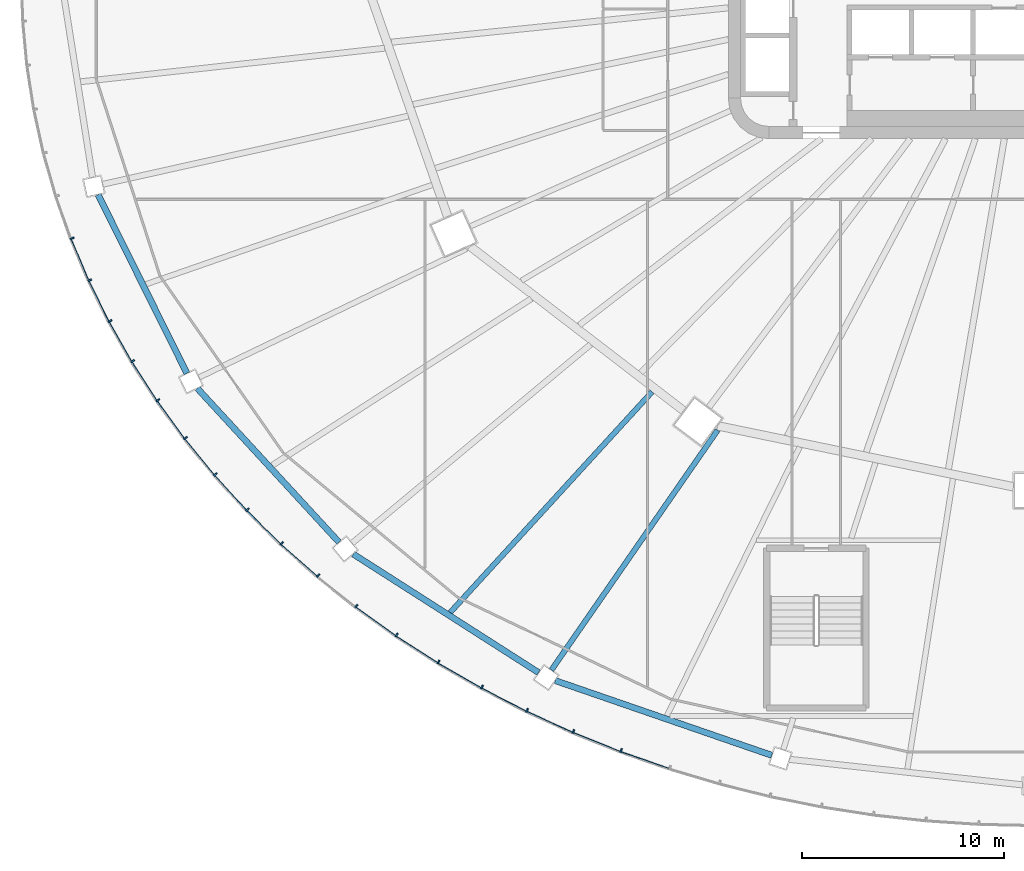
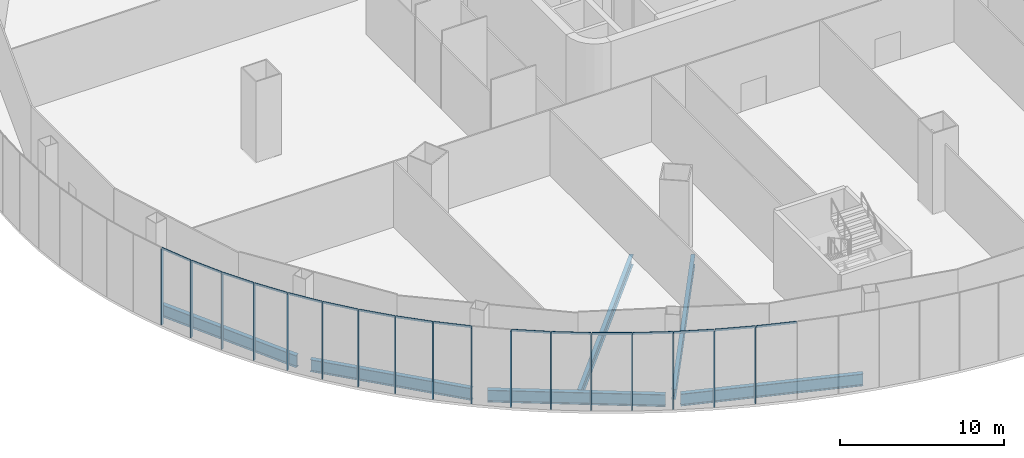
# One storey, part 2 of 37: 33 members, 6 beams, 4 elements without a shape of their own.
"""IFC4 building model written with IfcOpenShell, lengths in metres."""

from ifc_helpers import new_model, si_unit, direction, frame, origin, origin_2d, place, context, subcontext, project, spatial, rectangle, i_section, extrude, material, layer, layer_set, material_profile, profile_set, type_object, element, aggregate, save


model = new_model("IFC4")

# Units and contexts
model_context = context("Model", 3, precision=1e-05, world=origin(), true_north=direction((0.0, 1.0)))
body_context = subcontext(model_context, "Body", "Model", "MODEL_VIEW")
ifc_project = project(units=[si_unit("LENGTHUNIT", "METRE"), si_unit("AREAUNIT", "SQUARE_METRE"), si_unit("VOLUMEUNIT", "CUBIC_METRE"), si_unit("PLANEANGLEUNIT", "RADIAN"), si_unit("MASSUNIT", "GRAM", prefix="KILO")], contexts=[model_context])

# Site, building, storey
site_placement = place(None, origin())
site = spatial("IfcSite", under=ifc_project, at=site_placement, CompositionType="ELEMENT")
building_placement = place(site_placement, origin())
building = spatial("IfcBuilding", under=site, at=building_placement, Name="Sahrelin Media Tower", CompositionType="ELEMENT")
storey_placement = place(building_placement, frame((0.0, 0.0, 31.39990234375)))
storey = spatial("IfcBuildingStorey", under=building, at=storey_placement, Name="L04", CompositionType="ELEMENT", Elevation=31.39990234375)

# Curtain wall, members
ifc_material_1 = material(Name="Champagne anodised aluminium 6063-T6", Category="aluminium")
ifc_layer = layer(ifc_material_1, 0.14990234375)
ifc_layer_set = layer_set([ifc_layer], Name="Podium ribbon curtain wall")
curtain_wall_type = type_object("IfcCurtainWallType", Name="Podium ribbon curtain wall", PredefinedType="NOTDEFINED", material=ifc_layer_set)
curtain_wall_1_placement = place(storey_placement, frame((-48.29638671875, -10.870361328125, 0.0), z_axis=(0.0, 0.0, 1.0), x_axis=(1.0, 0.0, 0.0)))
curtain_wall_1 = element("IfcCurtainWall", 1, at=curtain_wall_1_placement, inside=storey, type_object=curtain_wall_type, Name="L04:CW:L04-P13", PredefinedType="NOTDEFINED")
ifc_material_profile_1 = material_profile(ifc_material_1, rectangle(XDim=0.080078125, YDim=0.199951171875, at=origin_2d()), Name="Mullion 80x200")
ifc_profile_set_1 = profile_set([ifc_material_profile_1], Name="Champagne anodised aluminium 6063-T6")
member_type_1 = type_object("IfcMemberType", Name="Mullion 80x200 CW5", PredefinedType="MULLION", material=ifc_profile_set_1)
member_1_placement = place(storey_placement, frame((-47.442138671875, -12.93212890625, 0.0), z_axis=(0.0, 0.0, 1.0), x_axis=(0.388450189752, -0.921469722824, 0.0)))
member_1 = element("IfcMember", 2, at=member_1_placement, type_object=member_type_1, Name="L04:CWM2:L04-P13", PredefinedType="MULLION", context=body_context, shape_type="SweptSolid", body=[
    extrude(rectangle(XDim=0.080078125, YDim=0.199951171875, at=origin_2d()), origin(), (0.0, 0.0, 1.0), 5.650146484375),
])
member_2_placement = place(storey_placement, frame((-46.5712890625, -14.998291015625, 0.0), z_axis=(0.0, 0.0, 1.0), x_axis=(0.442262079274, -0.896885864108, 0.0)))
member_2 = element("IfcMember", 3, at=member_2_placement, type_object=member_type_1, Name="L04:CWM3:L04-P13", PredefinedType="MULLION", context=body_context, shape_type="SweptSolid", body=[
    extrude(rectangle(XDim=0.080078125, YDim=0.199951171875, at=origin_2d()), origin(), (0.0, 0.0, 1.0), 5.650146484375),
])
member_3_placement = place(storey_placement, frame((-45.572998046875, -17.023681640625, 0.0), z_axis=(0.0, 0.0, 1.0), x_axis=(0.493787068155, -0.869582849028, 0.0)))
member_3 = element("IfcMember", 4, at=member_3_placement, type_object=member_type_1, Name="L04:CWM4:L04-P13", PredefinedType="MULLION", context=body_context, shape_type="SweptSolid", body=[
    extrude(rectangle(XDim=0.080078125, YDim=0.199951171875, at=origin_2d()), origin(), (0.0, 0.0, 1.0), 5.650146484375),
])
member_4_placement = place(storey_placement, frame((-44.449462890625, -19.00244140625, 0.0), z_axis=(0.0, 0.0, 1.0), x_axis=(0.542830032192, -0.839842578196, 0.0)))
member_4 = element("IfcMember", 5, at=member_4_placement, type_object=member_type_1, Name="L04:CWM5:L04-P13", PredefinedType="MULLION", context=body_context, shape_type="SweptSolid", body=[
    extrude(rectangle(XDim=0.080078125, YDim=0.199951171875, at=origin_2d()), origin(), (0.0, 0.0, 1.0), 5.650146484375),
])

curtain_wall_2_placement = place(storey_placement, frame((-43.30126953125, -21.0, 0.0), z_axis=(0.0, 0.0, 1.0), x_axis=(1.0, 0.0, 0.0)))
curtain_wall_2 = element("IfcCurtainWall", 6, at=curtain_wall_2_placement, inside=storey, type_object=curtain_wall_type, Name="L04:CW:L04-P14", PredefinedType="NOTDEFINED")
member_5_placement = place(storey_placement, frame((-43.204345703125, -20.92919921875, 0.0), z_axis=(0.0, 0.0, 1.0), x_axis=(0.589385309161, -0.807852064022, 0.0)))
member_5 = element("IfcMember", 7, at=member_5_placement, type_object=member_type_1, Name="L04:CWM1:L04-P14", PredefinedType="MULLION", context=body_context, shape_type="SweptSolid", body=[
    extrude(rectangle(XDim=0.080078125, YDim=0.199951171875, at=origin_2d()), origin(), (0.0, 0.0, 1.0), 5.650146484375),
])
member_6_placement = place(storey_placement, frame((-41.840576171875, -22.798828125, 0.0), z_axis=(0.0, 0.0, 1.0), x_axis=(0.633234995933, -0.77395958546, 0.0)))
member_6 = element("IfcMember", 8, at=member_6_placement, type_object=member_type_1, Name="L04:CWM2:L04-P14", PredefinedType="MULLION", context=body_context, shape_type="SweptSolid", body=[
    extrude(rectangle(XDim=0.080078125, YDim=0.199951171875, at=origin_2d()), origin(), (0.0, 0.0, 1.0), 5.650146484375),
])
member_7_placement = place(storey_placement, frame((-40.3623046875, -24.606201171875, 0.0), z_axis=(0.0, 0.0, 1.0), x_axis=(0.67442997344, -0.738338818514, 0.0)))
member_7 = element("IfcMember", 9, at=member_7_placement, type_object=member_type_1, Name="L04:CWM3:L04-P14", PredefinedType="MULLION", context=body_context, shape_type="SweptSolid", body=[
    extrude(rectangle(XDim=0.080078125, YDim=0.199951171875, at=origin_2d()), origin(), (0.0, 0.0, 1.0), 5.650146484375),
])
member_8_placement = place(storey_placement, frame((-38.773193359375, -26.345947265625, 0.0), z_axis=(0.0, 0.0, 1.0), x_axis=(0.712973923933, -0.70119054742, 0.0)))
member_8 = element("IfcMember", 10, at=member_8_placement, type_object=member_type_1, Name="L04:CWM4:L04-P14", PredefinedType="MULLION", context=body_context, shape_type="SweptSolid", body=[
    extrude(rectangle(XDim=0.080078125, YDim=0.199951171875, at=origin_2d()), origin(), (0.0, 0.0, 1.0), 5.650146484375),
])
member_9_placement = place(storey_placement, frame((-37.07763671875, -28.013671875, 0.0), z_axis=(0.0, 0.0, 1.0), x_axis=(0.748788005735, -0.662809567272, 0.0)))
member_9 = element("IfcMember", 11, at=member_9_placement, type_object=member_type_1, Name="L04:CWM5:L04-P14", PredefinedType="MULLION", context=body_context, shape_type="SweptSolid", body=[
    extrude(rectangle(XDim=0.080078125, YDim=0.199951171875, at=origin_2d()), origin(), (0.0, 0.0, 1.0), 5.650146484375),
])

curtain_wall_3_placement = place(storey_placement, frame((-35.355224609375, -29.698486328125, 0.0), z_axis=(0.0, 0.0, 1.0), x_axis=(1.0, 0.0, 0.0)))
curtain_wall_3 = element("IfcCurtainWall", 12, at=curtain_wall_3_placement, inside=storey, type_object=curtain_wall_type, Name="L04:CW:L04-P15", PredefinedType="NOTDEFINED")
member_10_placement = place(storey_placement, frame((-35.280517578125, -29.604736328125, 0.0), z_axis=(0.0, 0.0, 1.0), x_axis=(0.781960183728, -0.623328381405, 0.0)))
member_10 = element("IfcMember", 13, at=member_10_placement, type_object=member_type_1, Name="L04:CWM1:L04-P15", PredefinedType="MULLION", context=body_context, shape_type="SweptSolid", body=[
    extrude(rectangle(XDim=0.080078125, YDim=0.199951171875, at=origin_2d()), origin(), (0.0, 0.0, 1.0), 5.650146484375),
])
member_11_placement = place(storey_placement, frame((-33.38671875, -31.114501953125, 0.0), z_axis=(0.0, 0.0, 1.0), x_axis=(0.812532432251, -0.582915985834, 0.0)))
member_11 = element("IfcMember", 14, at=member_11_placement, type_object=member_type_1, Name="L04:CWM2:L04-P15", PredefinedType="MULLION", context=body_context, shape_type="SweptSolid", body=[
    extrude(rectangle(XDim=0.080078125, YDim=0.199951171875, at=origin_2d()), origin(), (0.0, 0.0, 1.0), 5.650146484375),
])
member_12_placement = place(storey_placement, frame((-31.40087890625, -32.539306640625, 0.0), z_axis=(0.0, 0.0, 1.0), x_axis=(0.840519327336, -0.541781561494, 0.0)))
member_12 = element("IfcMember", 15, at=member_12_placement, type_object=member_type_1, Name="L04:CWM3:L04-P15", PredefinedType="MULLION", context=body_context, shape_type="SweptSolid", body=[
    extrude(rectangle(XDim=0.080078125, YDim=0.199951171875, at=origin_2d()), origin(), (0.0, 0.0, 1.0), 5.650146484375),
])
member_13_placement = place(storey_placement, frame((-29.329345703125, -33.874755859375, 0.0), z_axis=(0.0, 0.0, 1.0), x_axis=(0.866028894422, -0.49999395399, 0.0)))
member_13 = element("IfcMember", 16, at=member_13_placement, type_object=member_type_1, Name="L04:CWM4:L04-P15", PredefinedType="MULLION", context=body_context, shape_type="SweptSolid", body=[
    extrude(rectangle(XDim=0.080078125, YDim=0.199951171875, at=origin_2d()), origin(), (0.0, 0.0, 1.0), 5.650146484375),
])
member_14_placement = place(storey_placement, frame((-27.177001953125, -35.117431640625, 0.0), z_axis=(0.0, 0.0, 1.0), x_axis=(0.889123403251, -0.457667536309, 0.0)))
member_14 = element("IfcMember", 17, at=member_14_placement, type_object=member_type_1, Name="L04:CWM5:L04-P15", PredefinedType="MULLION", context=body_context, shape_type="SweptSolid", body=[
    extrude(rectangle(XDim=0.080078125, YDim=0.199951171875, at=origin_2d()), origin(), (0.0, 0.0, 1.0), 5.650146484375),
])

curtain_wall_4_placement = place(storey_placement, frame((-25.0, -36.373046875, 0.0), z_axis=(0.0, 0.0, 1.0), x_axis=(1.0, 0.0, 0.0)))
curtain_wall_4 = element("IfcCurtainWall", 18, at=curtain_wall_4_placement, inside=storey, type_object=curtain_wall_type, Name="L04:CW:L04-P16", PredefinedType="NOTDEFINED")
member_15_placement = place(storey_placement, frame((-24.9501953125, -36.263916015625, 0.0), z_axis=(0.0, 0.0, 1.0), x_axis=(0.909841810065, -0.414955275491, 0.0)))
member_15 = element("IfcMember", 19, at=member_15_placement, type_object=member_type_1, Name="L04:CWM1:L04-P16", PredefinedType="MULLION", context=body_context, shape_type="SweptSolid", body=[
    extrude(rectangle(XDim=0.080078125, YDim=0.199951171875, at=origin_2d()), origin(), (0.0, 0.0, 1.0), 5.650146484375),
])
member_16_placement = place(storey_placement, frame((-22.65478515625, -37.310791015625, 0.0), z_axis=(0.0, 0.0, 1.0), x_axis=(0.928270482181, -0.371905783648, 0.0)))
member_16 = element("IfcMember", 20, at=member_16_placement, type_object=member_type_1, Name="L04:CWM2:L04-P16", PredefinedType="MULLION", context=body_context, shape_type="SweptSolid", body=[
    extrude(rectangle(XDim=0.080078125, YDim=0.199951171875, at=origin_2d()), origin(), (0.0, 0.0, 1.0), 5.650146484375),
])
member_17_placement = place(storey_placement, frame((-20.29736328125, -38.255615234375, 0.0), z_axis=(0.0, 0.0, 1.0), x_axis=(0.944458420046, -0.328630937077, 0.0)))
member_17 = element("IfcMember", 21, at=member_17_placement, type_object=member_type_1, Name="L04:CWM3:L04-P16", PredefinedType="MULLION", context=body_context, shape_type="SweptSolid", body=[
    extrude(rectangle(XDim=0.080078125, YDim=0.199951171875, at=origin_2d()), origin(), (0.0, 0.0, 1.0), 5.650146484375),
])

# Beams
ifc_material_2 = material(Name="Steel S355", Category="steel")
ifc_material_profile_2 = material_profile(ifc_material_2, i_section(OverallWidth=0.30322265625, OverallDepth=0.903076171875, WebThickness=0.01513671875, FlangeThickness=0.020263671875, FilletRadius=0.01904296875, at=origin_2d()), Name="UB 914x305x201")
ifc_profile_set_2 = profile_set([ifc_material_profile_2], Name="Steel S355")
beam_type_1 = type_object("IfcBeamType", Name="Podium edge girder PE11", PredefinedType="BEAM", material=ifc_profile_set_2)
beam_1_placement = place(storey_placement, frame((-46.158203125, -10.767822265625, -0.6513671875), z_axis=(0.445112588569, -0.895474613541, 0.0), x_axis=(0.895474613541, 0.445112588569, 0.0)))
element("IfcBeam", 22, at=beam_1_placement, inside=storey, type_object=beam_type_1, Name="Podium edge girder L04-14", PredefinedType="BEAM", context=body_context, shape_type="SweptSolid", body=[
    extrude(i_section(OverallWidth=0.30322265625, OverallDepth=0.903076171875, WebThickness=0.01513671875, FlangeThickness=0.020263671875, FilletRadius=0.01904296875, at=origin_2d()), origin(), (0.0, 0.0, 1.0), 9.859619140625),
])
beam_2_placement = place(storey_placement, frame((-41.25048828125, -20.34619140625, -0.6513671875), z_axis=(0.677370529771, -0.735642008995, 0.0), x_axis=(0.735642008995, 0.677370529771, 0.0)))
element("IfcBeam", 23, at=beam_2_placement, inside=storey, type_object=beam_type_1, Name="Podium edge girder L04-15", PredefinedType="BEAM", context=body_context, shape_type="SweptSolid", body=[
    extrude(i_section(OverallWidth=0.30322265625, OverallDepth=0.903076171875, WebThickness=0.01513671875, FlangeThickness=0.020263671875, FilletRadius=0.01904296875, at=origin_2d()), origin(), (0.0, 0.0, 1.0), 10.340087890625),
])
beam_3_placement = place(storey_placement, frame((-33.54345703125, -28.53857421875, -0.6513671875), z_axis=(0.842485743715, -0.538718638657, 0.0), x_axis=(0.538718638657, 0.842485743715, 0.0)))
element("IfcBeam", 24, at=beam_3_placement, inside=storey, type_object=beam_type_1, Name="Podium edge girder L04-16", PredefinedType="BEAM", context=body_context, shape_type="SweptSolid", body=[
    extrude(i_section(OverallWidth=0.30322265625, OverallDepth=0.903076171875, WebThickness=0.01513671875, FlangeThickness=0.020263671875, FilletRadius=0.01904296875, at=origin_2d()), origin(), (0.0, 0.0, 1.0), 10.87744140625),
])
beam_4_placement = place(storey_placement, frame((-23.55810546875, -34.79345703125, -0.6513671875), z_axis=(0.94527240249, -0.32628221694, 0.0), x_axis=(0.32628221694, 0.94527240249, 0.0)))
element("IfcBeam", 25, at=beam_4_placement, inside=storey, type_object=beam_type_1, Name="Podium edge girder L04-17", PredefinedType="BEAM", context=body_context, shape_type="SweptSolid", body=[
    extrude(i_section(OverallWidth=0.30322265625, OverallDepth=0.903076171875, WebThickness=0.01513671875, FlangeThickness=0.020263671875, FilletRadius=0.01904296875, at=origin_2d()), origin(), (0.0, 0.0, 1.0), 11.329345703125),
])
ifc_material_profile_3 = material_profile(ifc_material_2, i_section(OverallWidth=0.26513671875, OverallDepth=0.75390625, WebThickness=0.0126953125, FlangeThickness=0.017578125, FilletRadius=0.0166015625, at=origin_2d()), Name="UB 762x267x147")
ifc_profile_set_3 = profile_set([ifc_material_profile_3], Name="Steel S355")
beam_type_2 = type_object("IfcBeamType", Name="Radial primary beam PB9", PredefinedType="BEAM", material=ifc_profile_set_3)
beam_5_placement = place(storey_placement, frame((-15.527099609375, -22.411376953125, -0.576904296875), z_axis=(-0.569493278726, -0.821995988729, 0.0), x_axis=(0.821995988729, -0.569493278726, 0.0)))
element("IfcBeam", 26, at=beam_5_placement, inside=storey, type_object=beam_type_2, Name="Radial beam L04-19", PredefinedType="BEAM", context=body_context, shape_type="SweptSolid", body=[
    extrude(i_section(OverallWidth=0.26513671875, OverallDepth=0.75390625, WebThickness=0.0126953125, FlangeThickness=0.017578125, FilletRadius=0.0166015625, at=origin_2d()), origin(), (0.0, 0.0, 1.0), 14.427734375),
])
ifc_material_profile_4 = material_profile(ifc_material_2, i_section(OverallWidth=0.26513671875, OverallDepth=0.75390625, WebThickness=0.0126953125, FlangeThickness=0.017578125, FilletRadius=0.0166015625, at=origin_2d()), Name="UB 762x267x147")
ifc_profile_set_4 = profile_set([ifc_material_profile_4], Name="Steel S355")
beam_type_3 = type_object("IfcBeamType", Name="Radial secondary beam SB9", PredefinedType="BEAM", material=ifc_profile_set_4)
beam_6_placement = place(storey_placement, frame((-18.7685546875, -20.514892578125, -0.576904296875), z_axis=(-0.675004282666, -0.737813810106, 0.0), x_axis=(0.737813810106, -0.675004282666, 0.0)))
element("IfcBeam", 27, at=beam_6_placement, inside=storey, type_object=beam_type_3, Name="Secondary beam L04-16", PredefinedType="BEAM", context=body_context, shape_type="SweptSolid", body=[
    extrude(i_section(OverallWidth=0.26513671875, OverallDepth=0.75390625, WebThickness=0.0126953125, FlangeThickness=0.017578125, FilletRadius=0.0166015625, at=origin_2d()), origin(), (0.0, 0.0, 1.0), 14.7861328125),
])

# Member
ifc_material_profile_5 = material_profile(ifc_material_1, rectangle(XDim=0.06005859375, YDim=0.14990234375, at=origin_2d()), Name="Transom 60x150")
ifc_profile_set_5 = profile_set([ifc_material_profile_5], Name="Champagne anodised aluminium 6063-T6")
member_type_2 = type_object("IfcMemberType", Name="Transom 60x150 CW5", PredefinedType="USERDEFINED", material=ifc_profile_set_5)
member_18_placement = place(storey_placement, frame((-47.4873046875, -13.00537109375, 5.72509765625), z_axis=(0.388513504785, -0.921443029492, 0.0), x_axis=(0.921443029492, 0.388513504785, 0.0)))
member_18 = element("IfcMember", 28, at=member_18_placement, type_object=member_type_2, Name="L04:CWT2a:L04-P13", ObjectType="TRANSOM", PredefinedType="USERDEFINED", context=body_context, shape_type="SweptSolid", body=[
    extrude(rectangle(XDim=0.06005859375, YDim=0.14990234375, at=origin_2d()), origin(), (0.0, 0.0, 1.0), 2.199462890625),
])

member_19_placement = place(storey_placement, frame((-46.612060546875, -15.07421875, 5.72509765625), z_axis=(0.442224467513, -0.896904409808, 0.0), x_axis=(0.896904409808, 0.442224467513, 0.0)))
member_19 = element("IfcMember", 29, at=member_19_placement, type_object=member_type_2, Name="L04:CWT3a:L04-P13", ObjectType="TRANSOM", PredefinedType="USERDEFINED", context=body_context, shape_type="SweptSolid", body=[
    extrude(rectangle(XDim=0.06005859375, YDim=0.14990234375, at=origin_2d()), origin(), (0.0, 0.0, 1.0), 2.21484375),
])

member_20_placement = place(storey_placement, frame((-45.609130859375, -17.101806640625, 5.72509765625), z_axis=(0.493793305481, -0.869579307172, 0.0), x_axis=(0.869579307172, 0.493793305481, 0.0)))
member_20 = element("IfcMember", 30, at=member_20_placement, type_object=member_type_2, Name="L04:CWT4a:L04-P13", ObjectType="TRANSOM", PredefinedType="USERDEFINED", context=body_context, shape_type="SweptSolid", body=[
    extrude(rectangle(XDim=0.06005859375, YDim=0.14990234375, at=origin_2d()), origin(), (0.0, 0.0, 1.0), 2.232421875),
])

member_21_placement = place(storey_placement, frame((-44.481201171875, -19.08251953125, 5.72509765625), z_axis=(0.542855461476, -0.8398261415, 0.0), x_axis=(0.8398261415, 0.542855461476, 0.0)))
member_21 = element("IfcMember", 31, at=member_21_placement, type_object=member_type_2, Name="L04:CWT5a:L04-P13", ObjectType="TRANSOM", PredefinedType="USERDEFINED", context=body_context, shape_type="SweptSolid", body=[
    extrude(rectangle(XDim=0.06005859375, YDim=0.14990234375, at=origin_2d()), origin(), (0.0, 0.0, 1.0), 2.2509765625),
])

aggregate(curtain_wall_1, [member_1, member_18, member_2, member_19, member_3, member_20, member_4, member_21])

member_22_placement = place(storey_placement, frame((-43.2314453125, -21.010986328125, 5.72509765625), z_axis=(0.589436833423, -0.807814470906, 0.0), x_axis=(0.807814470906, 0.589436833423, 0.0)))
member_22 = element("IfcMember", 32, at=member_22_placement, type_object=member_type_2, Name="L04:CWT1a:L04-P14", ObjectType="TRANSOM", PredefinedType="USERDEFINED", context=body_context, shape_type="SweptSolid", body=[
    extrude(rectangle(XDim=0.06005859375, YDim=0.14990234375, at=origin_2d()), origin(), (0.0, 0.0, 1.0), 2.2705078125),
])

member_23_placement = place(storey_placement, frame((-41.863037109375, -22.8818359375, 5.72509765625), z_axis=(0.633220383586, -0.773971540698, 0.0), x_axis=(0.773971540698, 0.633220383586, 0.0)))
member_23 = element("IfcMember", 33, at=member_23_placement, type_object=member_type_2, Name="L04:CWT2a:L04-P14", ObjectType="TRANSOM", PredefinedType="USERDEFINED", context=body_context, shape_type="SweptSolid", body=[
    extrude(rectangle(XDim=0.06005859375, YDim=0.14990234375, at=origin_2d()), origin(), (0.0, 0.0, 1.0), 2.291259765625),
])

member_24_placement = place(storey_placement, frame((-40.380126953125, -24.690185546875, 5.72509765625), z_axis=(0.674452068042, -0.738318635762, 0.0), x_axis=(0.738318635762, 0.674452068042, 0.0)))
member_24 = element("IfcMember", 34, at=member_24_placement, type_object=member_type_2, Name="L04:CWT3a:L04-P14", ObjectType="TRANSOM", PredefinedType="USERDEFINED", context=body_context, shape_type="SweptSolid", body=[
    extrude(rectangle(XDim=0.06005859375, YDim=0.14990234375, at=origin_2d()), origin(), (0.0, 0.0, 1.0), 2.312744140625),
])

member_25_placement = place(storey_placement, frame((-38.78662109375, -26.430908203125, 5.72509765625), z_axis=(0.712990568358, -0.701173622887, 0.0), x_axis=(0.701173622887, 0.712990568358, 0.0)))
member_25 = element("IfcMember", 35, at=member_25_placement, type_object=member_type_2, Name="L04:CWT4a:L04-P14", ObjectType="TRANSOM", PredefinedType="USERDEFINED", context=body_context, shape_type="SweptSolid", body=[
    extrude(rectangle(XDim=0.06005859375, YDim=0.14990234375, at=origin_2d()), origin(), (0.0, 0.0, 1.0), 2.334716796875),
])

member_26_placement = place(storey_placement, frame((-37.086669921875, -28.09912109375, 5.72509765625), z_axis=(0.74874536596, -0.662857735078, 0.0), x_axis=(0.662857735078, 0.74874536596, 0.0)))
member_26 = element("IfcMember", 36, at=member_26_placement, type_object=member_type_2, Name="L04:CWT5a:L04-P14", ObjectType="TRANSOM", PredefinedType="USERDEFINED", context=body_context, shape_type="SweptSolid", body=[
    extrude(rectangle(XDim=0.06005859375, YDim=0.14990234375, at=origin_2d()), origin(), (0.0, 0.0, 1.0), 2.3564453125),
])

aggregate(curtain_wall_2, [member_5, member_22, member_6, member_23, member_7, member_24, member_8, member_25, member_9, member_26])

member_27_placement = place(storey_placement, frame((-33.38671875, -31.20068359375, 5.72509765625), z_axis=(0.812494250999, -0.582969203384, 0.0), x_axis=(0.582969203384, 0.812494250999, 0.0)))
member_27 = element("IfcMember", 37, at=member_27_placement, type_object=member_type_2, Name="L04:CWT2a:L04-P15", ObjectType="TRANSOM", PredefinedType="USERDEFINED", context=body_context, shape_type="SweptSolid", body=[
    extrude(rectangle(XDim=0.06005859375, YDim=0.14990234375, at=origin_2d()), origin(), (0.0, 0.0, 1.0), 2.399658203125),
])

member_28_placement = place(storey_placement, frame((-31.39697265625, -32.625244140625, 5.72509765625), z_axis=(0.840515923585, -0.541786842033, 0.0), x_axis=(0.541786842033, 0.840515923585, 0.0)))
member_28 = element("IfcMember", 38, at=member_28_placement, type_object=member_type_2, Name="L04:CWT3a:L04-P15", ObjectType="TRANSOM", PredefinedType="USERDEFINED", context=body_context, shape_type="SweptSolid", body=[
    extrude(rectangle(XDim=0.06005859375, YDim=0.14990234375, at=origin_2d()), origin(), (0.0, 0.0, 1.0), 2.420654296875),
])

member_29_placement = place(storey_placement, frame((-29.321044921875, -33.96044921875, 5.72509765625), z_axis=(0.866037355757, -0.499979298005, 0.0), x_axis=(0.499979298005, 0.866037355757, 0.0)))
member_29 = element("IfcMember", 39, at=member_29_placement, type_object=member_type_2, Name="L04:CWT4a:L04-P15", ObjectType="TRANSOM", PredefinedType="USERDEFINED", context=body_context, shape_type="SweptSolid", body=[
    extrude(rectangle(XDim=0.06005859375, YDim=0.14990234375, at=origin_2d()), origin(), (0.0, 0.0, 1.0), 2.44091796875),
])

member_30_placement = place(storey_placement, frame((-27.164794921875, -35.20263671875, 5.72509765625), z_axis=(0.889147091366, -0.457621513824, 0.0), x_axis=(0.457621513824, 0.889147091366, 0.0)))
member_30 = element("IfcMember", 40, at=member_30_placement, type_object=member_type_2, Name="L04:CWT5a:L04-P15", ObjectType="TRANSOM", PredefinedType="USERDEFINED", context=body_context, shape_type="SweptSolid", body=[
    extrude(rectangle(XDim=0.06005859375, YDim=0.14990234375, at=origin_2d()), origin(), (0.0, 0.0, 1.0), 2.46044921875),
])

aggregate(curtain_wall_3, [member_10, member_11, member_27, member_12, member_28, member_13, member_29, member_14, member_30])

member_31_placement = place(storey_placement, frame((-24.933837890625, -36.348388671875, 5.72509765625), z_axis=(0.909869936632, -0.414893598906, 0.0), x_axis=(0.414893598906, 0.909869936632, 0.0)))
member_31 = element("IfcMember", 41, at=member_31_placement, type_object=member_type_2, Name="L04:CWT1a:L04-P16", ObjectType="TRANSOM", PredefinedType="USERDEFINED", context=body_context, shape_type="SweptSolid", body=[
    extrude(rectangle(XDim=0.06005859375, YDim=0.14990234375, at=origin_2d()), origin(), (0.0, 0.0, 1.0), 2.478515625),
])

member_32_placement = place(storey_placement, frame((-22.634521484375, -37.39453125, 5.72509765625), z_axis=(0.928280887293, -0.371879811615, 0.0), x_axis=(0.371879811615, 0.928280887293, 0.0)))
member_32 = element("IfcMember", 42, at=member_32_placement, type_object=member_type_2, Name="L04:CWT2a:L04-P16", ObjectType="TRANSOM", PredefinedType="USERDEFINED", context=body_context, shape_type="SweptSolid", body=[
    extrude(rectangle(XDim=0.06005859375, YDim=0.14990234375, at=origin_2d()), origin(), (0.0, 0.0, 1.0), 2.495361328125),
])

member_33_placement = place(storey_placement, frame((-20.273193359375, -38.338134765625, 5.72509765625), z_axis=(0.944469242615, -0.328599832248, 0.0), x_axis=(0.328599832248, 0.944469242615, 0.0)))
member_33 = element("IfcMember", 43, at=member_33_placement, type_object=member_type_2, Name="L04:CWT3a:L04-P16", ObjectType="TRANSOM", PredefinedType="USERDEFINED", context=body_context, shape_type="SweptSolid", body=[
    extrude(rectangle(XDim=0.06005859375, YDim=0.14990234375, at=origin_2d()), origin(), (0.0, 0.0, 1.0), 2.510498046875),
])

aggregate(curtain_wall_4, [member_15, member_31, member_16, member_32, member_17, member_33])

save(model, "model.ifc")
